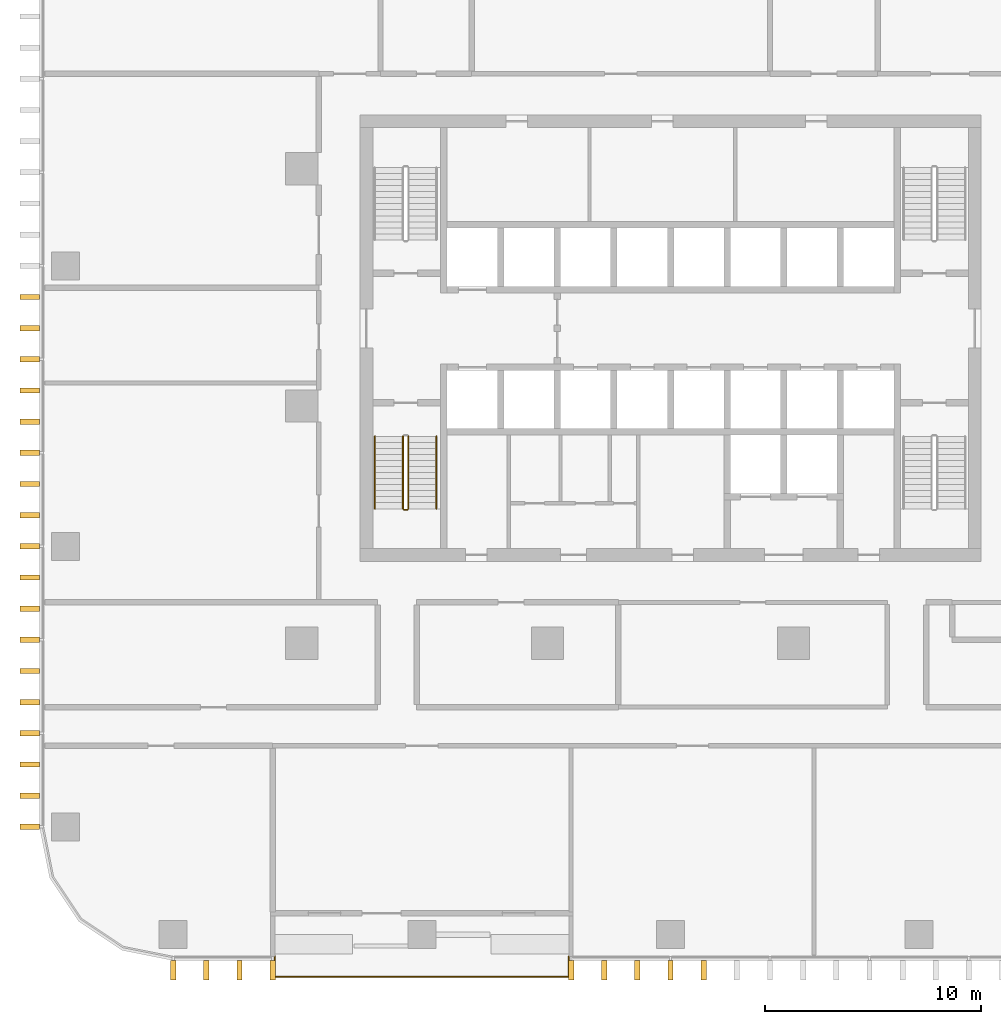
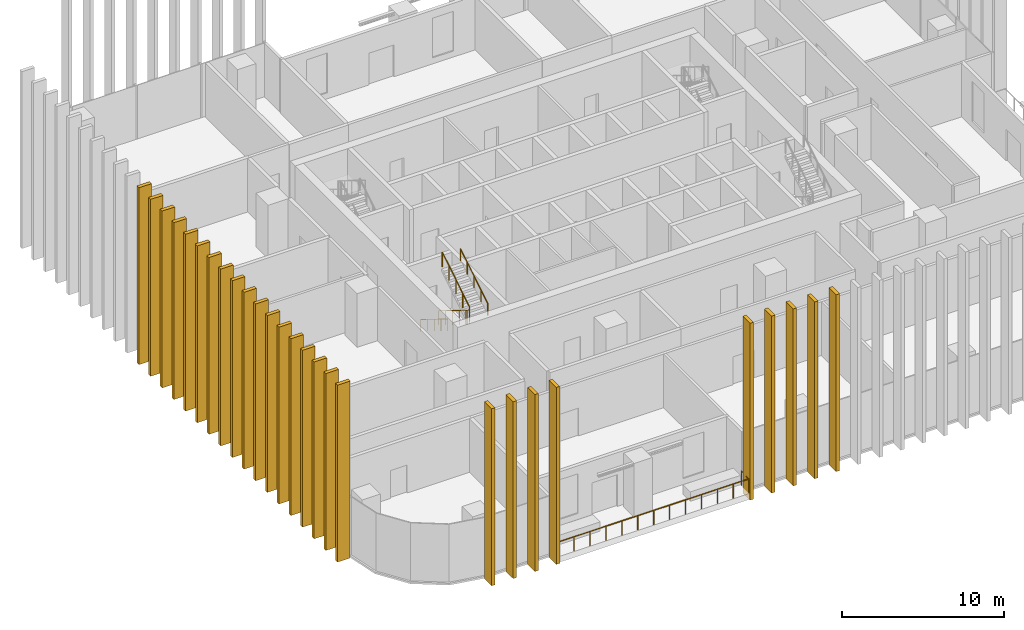
# One storey, part 12 of 17: 27 shading devices, 5 railings.
"""IFC4 building model written with IfcOpenShell, lengths in metres."""

from ifc_helpers import new_model, si_unit, direction, frame, origin, origin_2d, place, context, subcontext, project, spatial, rectangle, circle, extrude, material, type_object, element, save


model = new_model("IFC4")

# Units and contexts
model_context = context("Model", 3, precision=1e-05, world=origin(), true_north=direction((0.0, 1.0)))
body_context = subcontext(model_context, "Body", "Model", "MODEL_VIEW")
ifc_project = project(units=[si_unit("LENGTHUNIT", "METRE"), si_unit("AREAUNIT", "SQUARE_METRE"), si_unit("VOLUMEUNIT", "CUBIC_METRE"), si_unit("PLANEANGLEUNIT", "RADIAN"), si_unit("MASSUNIT", "GRAM", prefix="KILO")], contexts=[model_context])

# Site, building, storey
site_placement = place(None, origin())
site = spatial("IfcSite", under=ifc_project, at=site_placement, CompositionType="ELEMENT")
building_placement = place(site_placement, origin())
building = spatial("IfcBuilding", under=site, at=building_placement, Name="Mopane Tessera Tower", CompositionType="ELEMENT")
storey_placement = place(building_placement, frame((0.0, 0.0, 135.10009765625)))
storey = spatial("IfcBuildingStorey", under=building, at=storey_placement, Name="L27", CompositionType="ELEMENT", Elevation=135.10009765625)

# Shading devices
ifc_material_1 = material(Name="Glazed ceramic tile")
shading_device_type = type_object("IfcShadingDeviceType", Name="Ceramic tile fin 900 x 250 mm", PredefinedType="USERDEFINED", material=ifc_material_1)
for number, where, z_axis, x_axis, name in (
    (1, (-23.050048828125, -26.14990234375, -0.4501953125), (0.0, 0.0, 1.0), (1.0, 0.0, 0.0), "e:fin:L27:S:0:0"),
    (2, (-21.513427734375, -26.14990234375, -0.4501953125), (0.0, 0.0, 1.0), (1.0, 0.0, 0.0), "e:fin:L27:S:0:1"),
    (3, (-19.9765625, -26.14990234375, -0.4501953125), (0.0, 0.0, 1.0), (1.0, 0.0, 0.0), "e:fin:L27:S:0:2"),
    (4, (-18.43994140625, -26.14990234375, -0.4501953125), (0.0, 0.0, 1.0), (1.0, 0.0, 0.0), "e:fin:L27:S:0:3"),
    (5, (-4.610107421875, -26.14990234375, -0.4501953125), (0.0, 0.0, 1.0), (1.0, 0.0, 0.0), "e:fin:L27:S:4:0"),
    (6, (-3.0732421875, -26.14990234375, -0.4501953125), (0.0, 0.0, 1.0), (1.0, 0.0, 0.0), "e:fin:L27:S:4:1"),
    (7, (-1.53662109375, -26.14990234375, -0.4501953125), (0.0, 0.0, 1.0), (1.0, 0.0, 0.0), "e:fin:L27:S:4:2"),
    (8, (0.0, -26.14990234375, -0.4501953125), (0.0, 0.0, 1.0), (1.0, 0.0, 0.0), "e:fin:L27:S:5:0"),
    (9, (1.53662109375, -26.14990234375, -0.4501953125), (0.0, 0.0, 1.0), (1.0, 0.0, 0.0), "e:fin:L27:S:5:1"),
    (10, (-29.699951171875, 5.0556640625, -0.4501953125), (0.0, 0.0, 1.0), (0.0, -1.0, 0.0), "e:fin:L27:W:3:1"),
    (11, (-29.699951171875, 3.611083984375, -0.4501953125), (0.0, 0.0, 1.0), (0.0, -1.0, 0.0), "e:fin:L27:W:3:2"),
    (12, (-29.699951171875, 2.166748046875, -0.4501953125), (0.0, 0.0, 1.0), (0.0, -1.0, 0.0), "e:fin:L27:W:4:0"),
    (13, (-29.699951171875, 0.72216796875, -0.4501953125), (0.0, 0.0, 1.0), (0.0, -1.0, 0.0), "e:fin:L27:W:4:1"),
    (14, (-29.699951171875, -0.72216796875, -0.4501953125), (0.0, 0.0, 1.0), (0.0, -1.0, 0.0), "e:fin:L27:W:4:2"),
    (15, (-29.699951171875, -2.166748046875, -0.4501953125), (0.0, 0.0, 1.0), (0.0, -1.0, 0.0), "e:fin:L27:W:5:0"),
    (16, (-29.699951171875, -3.611083984375, -0.4501953125), (0.0, 0.0, 1.0), (0.0, -1.0, 0.0), "e:fin:L27:W:5:1"),
    (17, (-29.699951171875, -5.0556640625, -0.4501953125), (0.0, 0.0, 1.0), (0.0, -1.0, 0.0), "e:fin:L27:W:5:2"),
    (18, (-29.699951171875, -6.5, -0.4501953125), (0.0, 0.0, 1.0), (0.0, -1.0, 0.0), "e:fin:L27:W:6:0"),
    (19, (-29.699951171875, -7.9443359375, -0.4501953125), (0.0, 0.0, 1.0), (0.0, -1.0, 0.0), "e:fin:L27:W:6:1"),
    (20, (-29.699951171875, -9.388916015625, -0.4501953125), (0.0, 0.0, 1.0), (0.0, -1.0, 0.0), "e:fin:L27:W:6:2"),
    (21, (-29.699951171875, -10.833251953125, -0.4501953125), (0.0, 0.0, 1.0), (0.0, -1.0, 0.0), "e:fin:L27:W:7:0"),
    (22, (-29.699951171875, -12.27783203125, -0.4501953125), (0.0, 0.0, 1.0), (0.0, -1.0, 0.0), "e:fin:L27:W:7:1"),
    (23, (-29.699951171875, -13.72216796875, -0.4501953125), (0.0, 0.0, 1.0), (0.0, -1.0, 0.0), "e:fin:L27:W:7:2"),
    (24, (-29.699951171875, -15.166748046875, -0.4501953125), (0.0, 0.0, 1.0), (0.0, -1.0, 0.0), "e:fin:L27:W:8:0"),
    (25, (-29.699951171875, -16.611083984375, -0.4501953125), (0.0, 0.0, 1.0), (0.0, -1.0, 0.0), "e:fin:L27:W:8:1"),
    (26, (-29.699951171875, -18.0556640625, -0.4501953125), (0.0, 0.0, 1.0), (0.0, -1.0, 0.0), "e:fin:L27:W:8:2"),
    (27, (-29.699951171875, -19.5, -0.4501953125), (0.0, 0.0, 1.0), (0.0, -1.0, 0.0), "e:fin:L27:W:8:3"),
):
    element("IfcShadingDevice", number, at=place(storey_placement, frame(where, z_axis=z_axis, x_axis=x_axis)), inside=storey, type_object=shading_device_type, Name=name, ObjectType="FIN", PredefinedType="USERDEFINED", context=body_context, shape_type="SweptSolid", body=[
        extrude(rectangle(XDim=0.25, YDim=0.89990234375, at=origin_2d()), origin(), (0.0, 0.0, 1.0), 13.35009765625),
    ])

# Railings
ifc_material_2 = material(Name="Powder-coated steel balustrade", Category="steel")
railing_type_1 = type_object("IfcRailingType", Name="Escape stair guard 1100 mm", PredefinedType="GUARDRAIL", material=ifc_material_2)
railing_1_placement = place(storey_placement, frame((-12.39990234375, -1.39990234375, 0.173095703125)))
element("IfcRailing", 28, at=railing_1_placement, inside=storey, type_object=railing_type_1, Name="L27 ST1 stair guard 1", PredefinedType="GUARDRAIL", context=body_context, shape_type="SweptSolid", body=[
    extrude(circle(Radius=0.02392578125, at=origin_2d()), frame((0.0, 0.0, 1.076171875), z_axis=(0.0, -0.850623216509, 0.525775754039), x_axis=(1.0, 0.0, 0.0)), (0.0, 0.0, 1.0), 3.9501953125),
    extrude(circle(Radius=0.02392578125, at=origin_2d()), frame((0.0, -3.360107421875, 3.15283203125), z_axis=(0.705375805398, -0.708833529934, 0.0), x_axis=(0.708833529934, 0.705375805398, 0.0)), (0.0, 0.0, 1.0), 0.070556640625),
    extrude(circle(Radius=0.02392578125, at=origin_2d()), frame((0.0498046875, -3.41015625, 3.15283203125), z_axis=(1.0, 0.0, 0.0), x_axis=(0.0, 1.0, 0.0)), (0.0, 0.0, 1.0), 0.150146484375),
    extrude(circle(Radius=0.02099609375, at=origin_2d()), origin(), (0.0, 0.0, 1.0), 1.052001953125),
    extrude(circle(Radius=0.02099609375, at=origin_2d()), frame((0.0, -0.840087890625, 0.519287109375)), (0.0, 0.0, 1.0), 1.052001953125),
    extrude(circle(Radius=0.02099609375, at=origin_2d()), frame((0.0, -1.68017578125, 1.03857421875)), (0.0, 0.0, 1.0), 1.052001953125),
    extrude(circle(Radius=0.02099609375, at=origin_2d()), frame((0.0, -2.52001953125, 1.5576171875)), (0.0, 0.0, 1.0), 1.052001953125),
    extrude(circle(Radius=0.02099609375, at=origin_2d()), frame((0.0, -3.360107421875, 2.076904296875)), (0.0, 0.0, 1.0), 1.052001953125),
    extrude(circle(Radius=0.02099609375, at=origin_2d()), frame((0.0498046875, -3.41015625, 2.076904296875)), (0.0, 0.0, 1.0), 1.052001953125),
    extrude(circle(Radius=0.02099609375, at=origin_2d()), frame((0.199951171875, -3.41015625, 2.076904296875)), (0.0, 0.0, 1.0), 1.052001953125),
])
railing_2_placement = place(storey_placement, frame((-12.14990234375, -4.760009765625, 2.423095703125)))
element("IfcRailing", 29, at=railing_2_placement, inside=storey, type_object=railing_type_1, Name="L27 ST1 stair guard 2", PredefinedType="GUARDRAIL", context=body_context, shape_type="SweptSolid", body=[
    extrude(circle(Radius=0.02392578125, at=origin_2d()), frame((0.0, 0.0, 1.076171875), z_axis=(0.0, 0.850623216509, 0.525775754039), x_axis=(-1.0, 0.0, 0.0)), (0.0, 0.0, 1.0), 3.9501953125),
    extrude(circle(Radius=0.02099609375, at=origin_2d()), origin(), (0.0, 0.0, 1.0), 1.052001953125),
    extrude(circle(Radius=0.02099609375, at=origin_2d()), frame((0.0, 0.840087890625, 0.519287109375)), (0.0, 0.0, 1.0), 1.052001953125),
    extrude(circle(Radius=0.02099609375, at=origin_2d()), frame((0.0, 1.68017578125, 1.03857421875)), (0.0, 0.0, 1.0), 1.052001953125),
    extrude(circle(Radius=0.02099609375, at=origin_2d()), frame((0.0, 2.52001953125, 1.5576171875)), (0.0, 0.0, 1.0), 1.052001953125),
    extrude(circle(Radius=0.02099609375, at=origin_2d()), frame((0.0, 3.360107421875, 2.076904296875)), (0.0, 0.0, 1.0), 1.052001953125),
])
ifc_material_3 = material(Name="Powder-coated steel balustrade", Category="steel")
railing_type_2 = type_object("IfcRailingType", Name="Escape stair handrail 900 mm", PredefinedType="HANDRAIL", material=ifc_material_3)
railing_3_placement = place(storey_placement, frame((-13.699951171875, -1.39990234375, 0.173095703125)))
element("IfcRailing", 30, at=railing_3_placement, inside=storey, type_object=railing_type_2, Name="L27 ST1 stair handrail 1", PredefinedType="HANDRAIL", context=body_context, shape_type="SweptSolid", body=[
    extrude(circle(Radius=0.02392578125, at=origin_2d()), frame((0.0, 0.0, 0.8759765625), z_axis=(0.0, -0.850623216509, 0.525775754039), x_axis=(1.0, 0.0, 0.0)), (0.0, 0.0, 1.0), 3.9501953125),
    extrude(circle(Radius=0.02099609375, at=origin_2d()), origin(), (0.0, 0.0, 1.0), 0.851806640625),
    extrude(circle(Radius=0.02099609375, at=origin_2d()), frame((0.0, -0.840087890625, 0.519287109375)), (0.0, 0.0, 1.0), 0.851806640625),
    extrude(circle(Radius=0.02099609375, at=origin_2d()), frame((0.0, -1.68017578125, 1.03857421875)), (0.0, 0.0, 1.0), 0.851806640625),
    extrude(circle(Radius=0.02099609375, at=origin_2d()), frame((0.0, -2.52001953125, 1.5576171875)), (0.0, 0.0, 1.0), 0.851806640625),
    extrude(circle(Radius=0.02099609375, at=origin_2d()), frame((0.0, -3.360107421875, 2.076904296875)), (0.0, 0.0, 1.0), 0.851806640625),
])
railing_4_placement = place(storey_placement, frame((-10.85009765625, -4.760009765625, 2.423095703125)))
element("IfcRailing", 31, at=railing_4_placement, inside=storey, type_object=railing_type_2, Name="L27 ST1 stair handrail 2", PredefinedType="HANDRAIL", context=body_context, shape_type="SweptSolid", body=[
    extrude(circle(Radius=0.02392578125, at=origin_2d()), frame((0.0, 0.0, 0.8759765625), z_axis=(0.0, 0.850623216509, 0.525775754039), x_axis=(-1.0, 0.0, 0.0)), (0.0, 0.0, 1.0), 3.9501953125),
    extrude(circle(Radius=0.02099609375, at=origin_2d()), origin(), (0.0, 0.0, 1.0), 0.851806640625),
    extrude(circle(Radius=0.02099609375, at=origin_2d()), frame((0.0, 0.840087890625, 0.519287109375)), (0.0, 0.0, 1.0), 0.851806640625),
    extrude(circle(Radius=0.02099609375, at=origin_2d()), frame((0.0, 1.68017578125, 1.03857421875)), (0.0, 0.0, 1.0), 0.851806640625),
    extrude(circle(Radius=0.02099609375, at=origin_2d()), frame((0.0, 2.52001953125, 1.5576171875)), (0.0, 0.0, 1.0), 0.851806640625),
    extrude(circle(Radius=0.02099609375, at=origin_2d()), frame((0.0, 3.360107421875, 2.076904296875)), (0.0, 0.0, 1.0), 0.851806640625),
])
ifc_material_4 = material(Name="Stainless steel S316", Category="steel")
railing_type_3 = type_object("IfcRailingType", Name="Terrace guard 1100", PredefinedType="GUARDRAIL", material=ifc_material_4)
railing_5_placement = place(storey_placement, frame((-18.340087890625, -25.5, 0.0)))
element("IfcRailing", 32, at=railing_5_placement, inside=storey, type_object=railing_type_3, Name="e:nw:L27:N2:guard", PredefinedType="GUARDRAIL", context=body_context, shape_type="SweptSolid", body=[
    extrude(circle(Radius=0.02392578125, at=origin_2d()), frame((0.0, 0.0, 1.076171875), z_axis=(0.0, -1.0, 0.0), x_axis=(1.0, 0.0, 0.0)), (0.0, 0.0, 1.0), 0.949951171875),
    extrude(circle(Radius=0.02392578125, at=origin_2d()), frame((0.0, -0.949951171875, 1.076171875), z_axis=(1.0, 0.0, 0.0), x_axis=(0.0, 1.0, 0.0)), (0.0, 0.0, 1.0), 13.630126953125),
    extrude(circle(Radius=0.02392578125, at=origin_2d()), frame((13.630126953125, -0.949951171875, 1.076171875), z_axis=(0.0, 1.0, 0.0), x_axis=(-1.0, 0.0, 0.0)), (0.0, 0.0, 1.0), 0.949951171875),
    extrude(circle(Radius=0.02099609375, at=origin_2d()), origin(), (0.0, 0.0, 1.0), 1.052001953125),
    extrude(circle(Radius=0.02099609375, at=origin_2d()), frame((0.0, -0.949951171875, 0.0)), (0.0, 0.0, 1.0), 1.052001953125),
    extrude(circle(Radius=0.02099609375, at=origin_2d()), frame((1.1357421875, -0.949951171875, 0.0)), (0.0, 0.0, 1.0), 1.052001953125),
    extrude(circle(Radius=0.02099609375, at=origin_2d()), frame((2.271728515625, -0.949951171875, 0.0)), (0.0, 0.0, 1.0), 1.052001953125),
    extrude(circle(Radius=0.02099609375, at=origin_2d()), frame((3.407470703125, -0.949951171875, 0.0)), (0.0, 0.0, 1.0), 1.052001953125),
    extrude(circle(Radius=0.02099609375, at=origin_2d()), frame((4.54345703125, -0.949951171875, 0.0)), (0.0, 0.0, 1.0), 1.052001953125),
    extrude(circle(Radius=0.02099609375, at=origin_2d()), frame((5.67919921875, -0.949951171875, 0.0)), (0.0, 0.0, 1.0), 1.052001953125),
    extrude(circle(Radius=0.02099609375, at=origin_2d()), frame((6.81494140625, -0.949951171875, 0.0)), (0.0, 0.0, 1.0), 1.052001953125),
    extrude(circle(Radius=0.02099609375, at=origin_2d()), frame((7.950927734375, -0.949951171875, 0.0)), (0.0, 0.0, 1.0), 1.052001953125),
    extrude(circle(Radius=0.02099609375, at=origin_2d()), frame((9.086669921875, -0.949951171875, 0.0)), (0.0, 0.0, 1.0), 1.052001953125),
    extrude(circle(Radius=0.02099609375, at=origin_2d()), frame((10.22265625, -0.949951171875, 0.0)), (0.0, 0.0, 1.0), 1.052001953125),
    extrude(circle(Radius=0.02099609375, at=origin_2d()), frame((11.3583984375, -0.949951171875, 0.0)), (0.0, 0.0, 1.0), 1.052001953125),
    extrude(circle(Radius=0.02099609375, at=origin_2d()), frame((12.494384765625, -0.949951171875, 0.0)), (0.0, 0.0, 1.0), 1.052001953125),
    extrude(circle(Radius=0.02099609375, at=origin_2d()), frame((13.630126953125, -0.949951171875, 0.0)), (0.0, 0.0, 1.0), 1.052001953125),
    extrude(circle(Radius=0.02099609375, at=origin_2d()), frame((13.630126953125, 0.0, 0.0)), (0.0, 0.0, 1.0), 1.052001953125),
])

save(model, "model.ifc")
